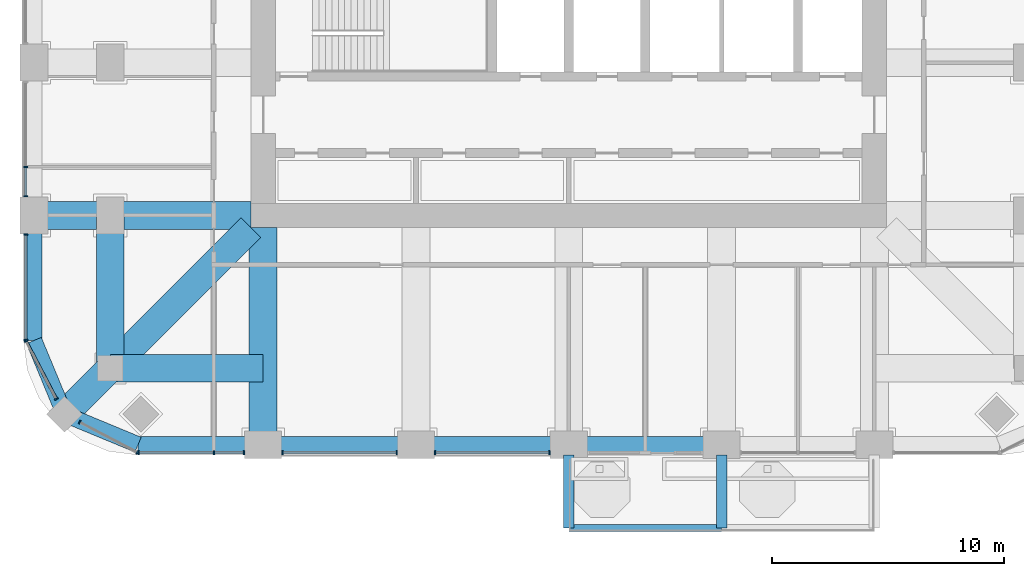
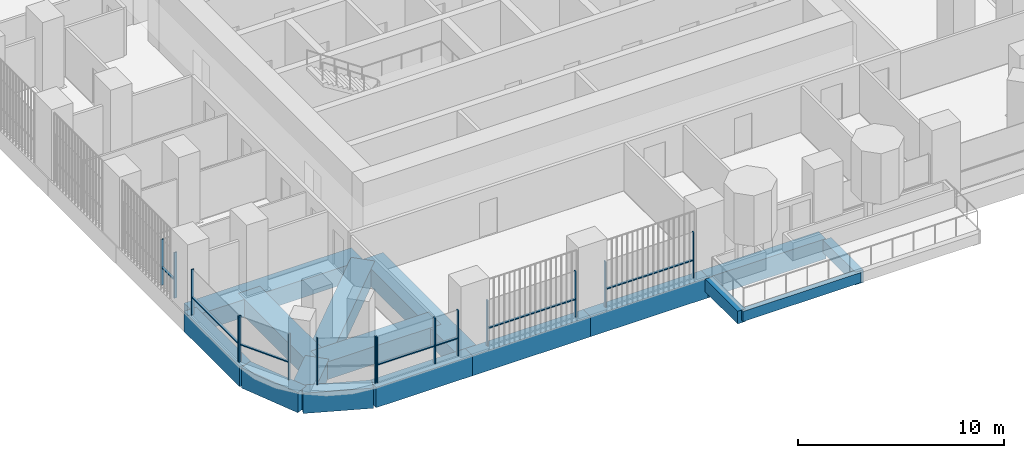
# One storey, part 2 of 19: 22 members, 16 beams, 7 elements without a shape of their own.
"""IFC4 building model written with IfcOpenShell, lengths in metres."""

from ifc_helpers import new_model, si_unit, direction, frame, origin, origin_2d, place, context, subcontext, project, spatial, rectangle, extrude, material, material_profile, profile_set, type_object, element, aggregate, save


model = new_model("IFC4")

# Units and contexts
model_context = context("Model", 3, precision=1e-05, world=origin(), true_north=direction((0.0, 1.0)))
body_context = subcontext(model_context, "Body", "Model", "MODEL_VIEW")
ifc_project = project(units=[si_unit("LENGTHUNIT", "METRE"), si_unit("AREAUNIT", "SQUARE_METRE"), si_unit("VOLUMEUNIT", "CUBIC_METRE"), si_unit("PLANEANGLEUNIT", "RADIAN"), si_unit("MASSUNIT", "GRAM", prefix="KILO")], contexts=[model_context])

# Site, building, storey
site_placement = place(None, origin())
site = spatial("IfcSite", under=ifc_project, at=site_placement, CompositionType="ELEMENT")
building_placement = place(site_placement, origin())
building = spatial("IfcBuilding", under=site, at=building_placement, Name="Cobogo Forest Laboratory Tower", CompositionType="ELEMENT")
storey_placement = place(building_placement, frame((0.0, 0.0, 172.5)))
storey = spatial("IfcBuildingStorey", under=building, at=storey_placement, Name="L39", CompositionType="ELEMENT", Elevation=172.5)

# Beams
ifc_material_1 = material(Name="Concrete HA-40 (C40/50)", Category="concrete")
ifc_material_profile_1 = material_profile(ifc_material_1, rectangle(XDim=0.449951171875, YDim=0.75, at=origin_2d()), Name="RC 450x750")
ifc_profile_set_1 = profile_set([ifc_material_profile_1], Name="Concrete HA-40 (C40/50)")
beam_type_1 = type_object("IfcBeamType", Name="Balcony cantilever beam 450x750", PredefinedType="BEAM", material=ifc_profile_set_1)
for number, where, z_axis, x_axis, name in (
    (1, (26.39990234375, 2.85009765625, -0.625), (0.0, -1.0, 0.0), (1.0, 0.0, 0.0), "CB1 BAL-S1-C1 L39"),
    (2, (33.0, 2.85009765625, -0.625), (0.0, -1.0, 0.0), (1.0, 0.0, 0.0), "CB1 BAL-S1-C2 L39"),
):
    element("IfcBeam", number, at=place(storey_placement, frame(where, z_axis=z_axis, x_axis=x_axis)), inside=storey, type_object=beam_type_1, Name=name, PredefinedType="BEAM", context=body_context, shape_type="SweptSolid", body=[
        extrude(rectangle(XDim=0.449951171875, YDim=0.75, at=origin_2d()), origin(), (0.0, 0.0, 1.0), 3.150146484375),
    ])
ifc_material_profile_2 = material_profile(ifc_material_1, rectangle(XDim=0.300048828125, YDim=0.60009765625, at=origin_2d()), Name="RC 300x600")
ifc_profile_set_2 = profile_set([ifc_material_profile_2], Name="Concrete HA-40 (C40/50)")
beam_type_2 = type_object("IfcBeamType", Name="Balcony edge beam 300x600", PredefinedType="BEAM", material=ifc_profile_set_2)
beam_1_placement = place(storey_placement, frame((26.39990234375, -0.300048828125, -0.550048828125), z_axis=(1.0, 0.0, 0.0), x_axis=(0.0, 1.0, 0.0)))
element("IfcBeam", 3, at=beam_1_placement, inside=storey, type_object=beam_type_2, Name="BB1 BAL-S1-T1 L39", PredefinedType="BEAM", context=body_context, shape_type="SweptSolid", body=[
    extrude(rectangle(XDim=0.300048828125, YDim=0.60009765625, at=origin_2d()), origin(), (0.0, 0.0, 1.0), 6.60009765625),
])
ifc_material_profile_3 = material_profile(ifc_material_1, rectangle(XDim=1.199951171875, YDim=1.050048828125, at=origin_2d()), Name="RC 1200x1050")
ifc_profile_set_3 = profile_set([ifc_material_profile_3], Name="Concrete HA-40 (C40/50)")
beam_type_3 = type_object("IfcBeamType", Name="Laboratory floor wide beam 1200x1050", PredefinedType="BEAM", material=ifc_profile_set_3)
for number, where, z_axis, x_axis, name in (
    (4, (13.199951171875, 12.675048828125, -0.824951171875), (0.0, -1.0, 0.0), (1.0, 0.0, 0.0), "RB1 R-3-S L39"),
    (5, (12.675048828125, 13.199951171875, -0.824951171875), (-1.0, 0.0, 0.0), (0.0, -1.0, 0.0), "RB1 R-C-W L39"),
):
    element("IfcBeam", number, at=place(storey_placement, frame(where, z_axis=z_axis, x_axis=x_axis)), inside=storey, type_object=beam_type_3, Name=name, PredefinedType="BEAM", context=body_context, shape_type="SweptSolid", body=[
        extrude(rectangle(XDim=1.199951171875, YDim=1.050048828125, at=origin_2d()), origin(), (0.0, 0.0, 1.0), 9.375),
    ])
for number, where, z_axis, x_axis, name in (
    (6, (6.60009765625, 6.60009765625, -0.824951171875), (0.0, 1.0, 0.0), (-1.0, 0.0, 0.0), "RB1 G-SW-XC L39"),
    (7, (6.60009765625, 6.60009765625, -0.824951171875), (1.0, 0.0, 0.0), (0.0, 1.0, 0.0), "RB1 G-SW-YC L39"),
):
    element("IfcBeam", number, at=place(storey_placement, frame(where, z_axis=z_axis, x_axis=x_axis)), inside=storey, type_object=beam_type_3, Name=name, PredefinedType="BEAM", context=body_context, shape_type="SweptSolid", body=[
        extrude(rectangle(XDim=1.199951171875, YDim=1.050048828125, at=origin_2d()), origin(), (0.0, 0.0, 1.0), 6.599853515625),
    ])
beam_2_placement = place(storey_placement, frame((4.617919921875, 4.617919921875, -0.824951171875), z_axis=(0.707106781187, 0.707106781187, 0.0), x_axis=(-0.707106781187, 0.707106781187, 0.0)))
element("IfcBeam", 8, at=beam_2_placement, inside=storey, type_object=beam_type_3, Name="RB1 G-SW-D1 L39", PredefinedType="BEAM", context=body_context, shape_type="SweptSolid", body=[
    extrude(rectangle(XDim=1.199951171875, YDim=1.050048828125, at=origin_2d()), origin(), (0.0, 0.0, 1.0), 2.80322265625),
])
beam_3_placement = place(storey_placement, frame((6.60009765625, 6.60009765625, -0.824951171875), z_axis=(0.707106781187, 0.707106781187, 0.0), x_axis=(-0.707106781187, 0.707106781187, 0.0)))
element("IfcBeam", 9, at=beam_3_placement, inside=storey, type_object=beam_type_3, Name="RB1 G-SW-D2 L39", PredefinedType="BEAM", context=body_context, shape_type="SweptSolid", body=[
    extrude(rectangle(XDim=1.199951171875, YDim=1.050048828125, at=origin_2d()), origin(), (0.0, 0.0, 1.0), 8.59130859375),
])

# Curtain wall, members
ifc_material_2 = material(Name="Aluminium curtain wall", Category="aluminium")
curtain_wall_type = type_object("IfcCurtainWallType", Name="CW-2 unitised curtain wall, solar control glazing, laboratory floors zones C and D", PredefinedType="USERDEFINED", material=ifc_material_2)
curtain_wall_1_placement = place(storey_placement, origin())
curtain_wall_1 = element("IfcCurtainWall", 10, at=curtain_wall_1_placement, inside=storey, type_object=curtain_wall_type, Name="Curtain wall 01 L39", ObjectType="UNITISED CURTAIN WALL", PredefinedType="USERDEFINED")
ifc_material_3 = material(Name="Aluminium mullion", Category="aluminium")
ifc_material_profile_4 = material_profile(ifc_material_3, rectangle(XDim=0.06005859375, YDim=0.159912109375, at=origin_2d()), Name="AL 60x160")
ifc_profile_set_4 = profile_set([ifc_material_profile_4], Name="Aluminium mullion")
member_type_1 = type_object("IfcMemberType", Name="MU-1 aluminium mullion 60x160", PredefinedType="MULLION", material=ifc_profile_set_4)
member_1_placement = place(storey_placement, frame((7.830078125, 2.949951171875, 0.0), z_axis=(0.0, 0.0, 1.0), x_axis=(1.0, 0.0, 0.0)))
member_1 = element("IfcMember", 11, at=member_1_placement, type_object=member_type_1, Name="CW-2 mullion 1", PredefinedType="MULLION", context=body_context, shape_type="SweptSolid", body=[
    extrude(rectangle(XDim=0.06005859375, YDim=0.159912109375, at=origin_2d()), origin(), (0.0, 0.0, 1.0), 2.699951171875),
])
member_2_placement = place(storey_placement, frame((11.074951171875, 2.949951171875, 0.0), z_axis=(0.0, 0.0, 1.0), x_axis=(1.0, 0.0, 0.0)))
member_2 = element("IfcMember", 12, at=member_2_placement, type_object=member_type_1, Name="CW-2 mullion 2", PredefinedType="MULLION", context=body_context, shape_type="SweptSolid", body=[
    extrude(rectangle(XDim=0.06005859375, YDim=0.159912109375, at=origin_2d()), origin(), (0.0, 0.0, 1.0), 2.699951171875),
])
member_3_placement = place(storey_placement, frame((12.3701171875, 2.949951171875, 0.0), z_axis=(0.0, 0.0, 1.0), x_axis=(1.0, 0.0, 0.0)))
member_3 = element("IfcMember", 13, at=member_3_placement, type_object=member_type_1, Name="CW-2 mullion 3", PredefinedType="MULLION", context=body_context, shape_type="SweptSolid", body=[
    extrude(rectangle(XDim=0.06005859375, YDim=0.159912109375, at=origin_2d()), origin(), (0.0, 0.0, 1.0), 2.699951171875),
])

curtain_wall_2_placement = place(storey_placement, origin())
curtain_wall_2 = element("IfcCurtainWall", 14, at=curtain_wall_2_placement, inside=storey, type_object=curtain_wall_type, Name="Curtain wall 02 L39", ObjectType="UNITISED CURTAIN WALL", PredefinedType="USERDEFINED")
member_4_placement = place(storey_placement, frame((14.030029296875, 2.949951171875, 0.0), z_axis=(0.0, 0.0, 1.0), x_axis=(1.0, 0.0, 0.0)))
member_4 = element("IfcMember", 15, at=member_4_placement, type_object=member_type_1, Name="CW-2 mullion 1", PredefinedType="MULLION", context=body_context, shape_type="SweptSolid", body=[
    extrude(rectangle(XDim=0.06005859375, YDim=0.159912109375, at=origin_2d()), origin(), (0.0, 0.0, 1.0), 2.699951171875),
])
member_5_placement = place(storey_placement, frame((18.969970703125, 2.949951171875, 0.0), z_axis=(0.0, 0.0, 1.0), x_axis=(1.0, 0.0, 0.0)))
member_5 = element("IfcMember", 16, at=member_5_placement, type_object=member_type_1, Name="CW-2 mullion 2", PredefinedType="MULLION", context=body_context, shape_type="SweptSolid", body=[
    extrude(rectangle(XDim=0.06005859375, YDim=0.159912109375, at=origin_2d()), origin(), (0.0, 0.0, 1.0), 2.699951171875),
])

curtain_wall_3_placement = place(storey_placement, origin())
curtain_wall_3 = element("IfcCurtainWall", 17, at=curtain_wall_3_placement, inside=storey, type_object=curtain_wall_type, Name="Curtain wall 03 L39", ObjectType="UNITISED CURTAIN WALL", PredefinedType="USERDEFINED")
member_6_placement = place(storey_placement, frame((20.6298828125, 2.949951171875, 0.0), z_axis=(0.0, 0.0, 1.0), x_axis=(1.0, 0.0, 0.0)))
member_6 = element("IfcMember", 18, at=member_6_placement, type_object=member_type_1, Name="CW-2 mullion 1", PredefinedType="MULLION", context=body_context, shape_type="SweptSolid", body=[
    extrude(rectangle(XDim=0.06005859375, YDim=0.159912109375, at=origin_2d()), origin(), (0.0, 0.0, 1.0), 2.699951171875),
])
member_7_placement = place(storey_placement, frame((25.570068359375, 2.949951171875, 0.0), z_axis=(0.0, 0.0, 1.0), x_axis=(1.0, 0.0, 0.0)))
member_7 = element("IfcMember", 19, at=member_7_placement, type_object=member_type_1, Name="CW-2 mullion 2", PredefinedType="MULLION", context=body_context, shape_type="SweptSolid", body=[
    extrude(rectangle(XDim=0.06005859375, YDim=0.159912109375, at=origin_2d()), origin(), (0.0, 0.0, 1.0), 2.699951171875),
])

curtain_wall_4_placement = place(storey_placement, origin())
curtain_wall_4 = element("IfcCurtainWall", 20, at=curtain_wall_4_placement, inside=storey, type_object=curtain_wall_type, Name="Curtain wall 27 L39", ObjectType="UNITISED CURTAIN WALL", PredefinedType="USERDEFINED")
member_8_placement = place(storey_placement, frame((2.949951171875, 15.300048828125, 0.0), z_axis=(0.0, 0.0, 1.0), x_axis=(0.0, -1.0, 0.0)))
member_8 = element("IfcMember", 21, at=member_8_placement, type_object=member_type_1, Name="CW-2 mullion 2", PredefinedType="MULLION", context=body_context, shape_type="SweptSolid", body=[
    extrude(rectangle(XDim=0.06005859375, YDim=0.159912109375, at=origin_2d()), origin(), (0.0, 0.0, 1.0), 2.699951171875),
])
member_9_placement = place(storey_placement, frame((2.949951171875, 14.030029296875, 0.0), z_axis=(0.0, 0.0, 1.0), x_axis=(0.0, -1.0, 0.0)))
member_9 = element("IfcMember", 22, at=member_9_placement, type_object=member_type_1, Name="CW-2 mullion 3", PredefinedType="MULLION", context=body_context, shape_type="SweptSolid", body=[
    extrude(rectangle(XDim=0.06005859375, YDim=0.159912109375, at=origin_2d()), origin(), (0.0, 0.0, 1.0), 2.699951171875),
])

curtain_wall_5_placement = place(storey_placement, origin())
curtain_wall_5 = element("IfcCurtainWall", 23, at=curtain_wall_5_placement, inside=storey, type_object=curtain_wall_type, Name="Curtain wall 28 L39", ObjectType="UNITISED CURTAIN WALL", PredefinedType="USERDEFINED")
member_10_placement = place(storey_placement, frame((2.949951171875, 12.3701171875, 0.0), z_axis=(0.0, 0.0, 1.0), x_axis=(0.0, -1.0, 0.0)))
member_10 = element("IfcMember", 24, at=member_10_placement, type_object=member_type_1, Name="CW-2 mullion 1", PredefinedType="MULLION", context=body_context, shape_type="SweptSolid", body=[
    extrude(rectangle(XDim=0.06005859375, YDim=0.159912109375, at=origin_2d()), origin(), (0.0, 0.0, 1.0), 2.699951171875),
])
member_11_placement = place(storey_placement, frame((2.949951171875, 7.830078125, 0.0), z_axis=(0.0, 0.0, 1.0), x_axis=(0.0, -1.0, 0.0)))
member_11 = element("IfcMember", 25, at=member_11_placement, type_object=member_type_1, Name="CW-2 mullion 2", PredefinedType="MULLION", context=body_context, shape_type="SweptSolid", body=[
    extrude(rectangle(XDim=0.06005859375, YDim=0.159912109375, at=origin_2d()), origin(), (0.0, 0.0, 1.0), 2.699951171875),
])

curtain_wall_6_placement = place(storey_placement, origin())
curtain_wall_6 = element("IfcCurtainWall", 26, at=curtain_wall_6_placement, inside=storey, type_object=curtain_wall_type, Name="Curtain wall 29 L39", ObjectType="UNITISED CURTAIN WALL", PredefinedType="USERDEFINED")
member_12_placement = place(storey_placement, frame((2.9638671875, 7.7734375, 0.0), z_axis=(0.0, 0.0, 1.0), x_axis=(0.464283804832, -0.885686484356, 0.0)))
member_12 = element("IfcMember", 27, at=member_12_placement, type_object=member_type_1, Name="CW-2 mullion 1", PredefinedType="MULLION", context=body_context, shape_type="SweptSolid", body=[
    extrude(rectangle(XDim=0.06005859375, YDim=0.159912109375, at=origin_2d()), origin(), (0.0, 0.0, 1.0), 2.699951171875),
])
member_13_placement = place(storey_placement, frame((4.2734375, 5.275634765625, 0.0), z_axis=(0.0, 0.0, 1.0), x_axis=(0.464283804832, -0.885686484356, 0.0)))
member_13 = element("IfcMember", 28, at=member_13_placement, type_object=member_type_1, Name="CW-2 mullion 2", PredefinedType="MULLION", context=body_context, shape_type="SweptSolid", body=[
    extrude(rectangle(XDim=0.06005859375, YDim=0.159912109375, at=origin_2d()), origin(), (0.0, 0.0, 1.0), 2.699951171875),
])

curtain_wall_7_placement = place(storey_placement, origin())
curtain_wall_7 = element("IfcCurtainWall", 29, at=curtain_wall_7_placement, inside=storey, type_object=curtain_wall_type, Name="Curtain wall 30 L39", ObjectType="UNITISED CURTAIN WALL", PredefinedType="USERDEFINED")
member_14_placement = place(storey_placement, frame((5.275634765625, 4.2734375, 0.0), z_axis=(0.0, 0.0, 1.0), x_axis=(0.885686484356, -0.464283804832, 0.0)))
member_14 = element("IfcMember", 30, at=member_14_placement, type_object=member_type_1, Name="CW-2 mullion 1", PredefinedType="MULLION", context=body_context, shape_type="SweptSolid", body=[
    extrude(rectangle(XDim=0.06005859375, YDim=0.159912109375, at=origin_2d()), origin(), (0.0, 0.0, 1.0), 2.699951171875),
])
member_15_placement = place(storey_placement, frame((7.7734375, 2.9638671875, 0.0), z_axis=(0.0, 0.0, 1.0), x_axis=(0.885686484356, -0.464283804832, 0.0)))
member_15 = element("IfcMember", 31, at=member_15_placement, type_object=member_type_1, Name="CW-2 mullion 2", PredefinedType="MULLION", context=body_context, shape_type="SweptSolid", body=[
    extrude(rectangle(XDim=0.06005859375, YDim=0.159912109375, at=origin_2d()), origin(), (0.0, 0.0, 1.0), 2.699951171875),
])
aggregate(curtain_wall_7, [member_14, member_15])

# Beams
ifc_material_profile_5 = material_profile(ifc_material_1, rectangle(XDim=0.699951171875, YDim=1.199951171875, at=origin_2d()), Name="RC 700x1200")
ifc_profile_set_5 = profile_set([ifc_material_profile_5], Name="Concrete HA-40 (C40/50)")
beam_type_4 = type_object("IfcBeamType", Name="Perimeter edge beam 700x1200", PredefinedType="BEAM", material=ifc_profile_set_5)
beam_4_placement = place(storey_placement, frame((13.199951171875, 3.300048828125, -0.89990234375), z_axis=(1.0, 0.0, 0.0), x_axis=(0.0, 1.0, 0.0)))
element("IfcBeam", 32, at=beam_4_placement, inside=storey, type_object=beam_type_4, Name="EB1 E-S1 L39", PredefinedType="BEAM", context=body_context, shape_type="SweptSolid", body=[
    extrude(rectangle(XDim=0.699951171875, YDim=1.199951171875, at=origin_2d()), origin(), (0.0, 0.0, 1.0), 6.60009765625),
])
beam_5_placement = place(storey_placement, frame((19.800048828125, 3.300048828125, -0.89990234375), z_axis=(1.0, 0.0, 0.0), x_axis=(0.0, 1.0, 0.0)))
element("IfcBeam", 33, at=beam_5_placement, inside=storey, type_object=beam_type_4, Name="EB1 E-S2 L39", PredefinedType="BEAM", context=body_context, shape_type="SweptSolid", body=[
    extrude(rectangle(XDim=0.699951171875, YDim=1.199951171875, at=origin_2d()), origin(), (0.0, 0.0, 1.0), 6.599853515625),
])
beam_6_placement = place(storey_placement, frame((26.39990234375, 3.300048828125, -0.89990234375), z_axis=(1.0, 0.0, 0.0), x_axis=(0.0, 1.0, 0.0)))
element("IfcBeam", 34, at=beam_6_placement, inside=storey, type_object=beam_type_4, Name="EB1 E-S3 L39", PredefinedType="BEAM", context=body_context, shape_type="SweptSolid", body=[
    extrude(rectangle(XDim=0.699951171875, YDim=1.199951171875, at=origin_2d()), origin(), (0.0, 0.0, 1.0), 6.60009765625),
])
beam_7_placement = place(storey_placement, frame((13.199951171875, 3.300048828125, -0.89990234375), z_axis=(-1.0, 0.0, 0.0), x_axis=(0.0, -1.0, 0.0)))
element("IfcBeam", 35, at=beam_7_placement, inside=storey, type_object=beam_type_4, Name="EB1 E-SWS1 L39", PredefinedType="BEAM", context=body_context, shape_type="SweptSolid", body=[
    extrude(rectangle(XDim=0.699951171875, YDim=1.199951171875, at=origin_2d()), origin(), (0.0, 0.0, 1.0), 5.39990234375),
])
beam_8_placement = place(storey_placement, frame((7.800048828125, 3.300048828125, -0.89990234375), z_axis=(-0.923901072997, 0.382631424892, 0.0), x_axis=(-0.382631424892, -0.923901072997, 0.0)))
element("IfcBeam", 36, at=beam_8_placement, inside=storey, type_object=beam_type_4, Name="EB1 E-SWS2 L39", PredefinedType="BEAM", context=body_context, shape_type="SweptSolid", body=[
    extrude(rectangle(XDim=0.699951171875, YDim=1.199951171875, at=origin_2d()), origin(), (0.0, 0.0, 1.0), 3.4443359375),
])
beam_9_placement = place(storey_placement, frame((3.300048828125, 13.199951171875, -0.89990234375), z_axis=(0.0, -1.0, 0.0), x_axis=(1.0, 0.0, 0.0)))
element("IfcBeam", 37, at=beam_9_placement, inside=storey, type_object=beam_type_4, Name="EB1 E-SWW1 L39", PredefinedType="BEAM", context=body_context, shape_type="SweptSolid", body=[
    extrude(rectangle(XDim=0.699951171875, YDim=1.199951171875, at=origin_2d()), origin(), (0.0, 0.0, 1.0), 5.39990234375),
])
beam_10_placement = place(storey_placement, frame((3.300048828125, 7.800048828125, -0.89990234375), z_axis=(0.382631424892, -0.923901072997, 0.0), x_axis=(0.923901072997, 0.382631424892, 0.0)))
element("IfcBeam", 38, at=beam_10_placement, inside=storey, type_object=beam_type_4, Name="EB1 E-SWW2 L39", PredefinedType="BEAM", context=body_context, shape_type="SweptSolid", body=[
    extrude(rectangle(XDim=0.699951171875, YDim=1.199951171875, at=origin_2d()), origin(), (0.0, 0.0, 1.0), 3.4443359375),
])

# Member
ifc_material_4 = material(Name="Aluminium transom", Category="aluminium")
ifc_material_profile_6 = material_profile(ifc_material_4, rectangle(XDim=0.1201171875, YDim=0.06005859375, at=origin_2d()), Name="AL 60x120")
ifc_profile_set_6 = profile_set([ifc_material_profile_6], Name="Aluminium transom")
member_type_2 = type_object("IfcMemberType", Name="TR-1 aluminium transom 60x120", PredefinedType="USERDEFINED", material=ifc_profile_set_6)
member_16_placement = place(storey_placement, frame((7.860107421875, 2.949951171875, 1.050048828125), z_axis=(1.0, 0.0, 0.0), x_axis=(0.0, 1.0, 0.0)))
member_16 = element("IfcMember", 39, at=member_16_placement, type_object=member_type_2, Name="CW-2 transom 1.1", ObjectType="TRANSOM", PredefinedType="USERDEFINED", context=body_context, shape_type="SweptSolid", body=[
    extrude(rectangle(XDim=0.1201171875, YDim=0.06005859375, at=origin_2d()), origin(), (0.0, 0.0, 1.0), 3.184814453125),
])

member_17_placement = place(storey_placement, frame((11.10498046875, 2.949951171875, 1.050048828125), z_axis=(1.0, 0.0, 0.0), x_axis=(0.0, 1.0, 0.0)))
member_17 = element("IfcMember", 40, at=member_17_placement, type_object=member_type_2, Name="CW-2 transom 2.1", ObjectType="TRANSOM", PredefinedType="USERDEFINED", context=body_context, shape_type="SweptSolid", body=[
    extrude(rectangle(XDim=0.1201171875, YDim=0.06005859375, at=origin_2d()), origin(), (0.0, 0.0, 1.0), 1.235107421875),
])

aggregate(curtain_wall_1, [member_1, member_2, member_3, member_16, member_17])

member_18_placement = place(storey_placement, frame((14.06005859375, 2.949951171875, 1.050048828125), z_axis=(1.0, 0.0, 0.0), x_axis=(0.0, 1.0, 0.0)))
member_18 = element("IfcMember", 41, at=member_18_placement, type_object=member_type_2, Name="CW-2 transom 1.1", ObjectType="TRANSOM", PredefinedType="USERDEFINED", context=body_context, shape_type="SweptSolid", body=[
    extrude(rectangle(XDim=0.1201171875, YDim=0.06005859375, at=origin_2d()), origin(), (0.0, 0.0, 1.0), 4.8798828125),
])

aggregate(curtain_wall_2, [member_4, member_5, member_18])

member_19_placement = place(storey_placement, frame((20.659912109375, 2.949951171875, 1.050048828125), z_axis=(1.0, 0.0, 0.0), x_axis=(0.0, 1.0, 0.0)))
member_19 = element("IfcMember", 42, at=member_19_placement, type_object=member_type_2, Name="CW-2 transom 1.1", ObjectType="TRANSOM", PredefinedType="USERDEFINED", context=body_context, shape_type="SweptSolid", body=[
    extrude(rectangle(XDim=0.1201171875, YDim=0.06005859375, at=origin_2d()), origin(), (0.0, 0.0, 1.0), 4.880126953125),
])

aggregate(curtain_wall_3, [member_6, member_7, member_19])

member_20_placement = place(storey_placement, frame((2.949951171875, 15.27001953125, 1.050048828125), z_axis=(0.0, -1.0, 0.0), x_axis=(1.0, 0.0, 0.0)))
member_20 = element("IfcMember", 43, at=member_20_placement, type_object=member_type_2, Name="CW-2 transom 2.1", ObjectType="TRANSOM", PredefinedType="USERDEFINED", context=body_context, shape_type="SweptSolid", body=[
    extrude(rectangle(XDim=0.1201171875, YDim=0.06005859375, at=origin_2d()), origin(), (0.0, 0.0, 1.0), 1.2099609375),
])

aggregate(curtain_wall_4, [member_8, member_9, member_20])

member_21_placement = place(storey_placement, frame((2.949951171875, 12.340087890625, 1.050048828125), z_axis=(0.0, -1.0, 0.0), x_axis=(1.0, 0.0, 0.0)))
member_21 = element("IfcMember", 44, at=member_21_placement, type_object=member_type_2, Name="CW-2 transom 1.1", ObjectType="TRANSOM", PredefinedType="USERDEFINED", context=body_context, shape_type="SweptSolid", body=[
    extrude(rectangle(XDim=0.1201171875, YDim=0.06005859375, at=origin_2d()), origin(), (0.0, 0.0, 1.0), 4.47998046875),
])

aggregate(curtain_wall_5, [member_10, member_11, member_21])

member_22_placement = place(storey_placement, frame((2.977783203125, 7.746826171875, 1.050048828125), z_axis=(0.464324225592, -0.885665294301, 0.0), x_axis=(0.885665294301, 0.464324225592, 0.0)))
member_22 = element("IfcMember", 45, at=member_22_placement, type_object=member_type_2, Name="CW-2 transom 1.1", ObjectType="TRANSOM", PredefinedType="USERDEFINED", context=body_context, shape_type="SweptSolid", body=[
    extrude(rectangle(XDim=0.1201171875, YDim=0.06005859375, at=origin_2d()), origin(), (0.0, 0.0, 1.0), 2.760498046875),
])

aggregate(curtain_wall_6, [member_12, member_13, member_22])

save(model, "model.ifc")
